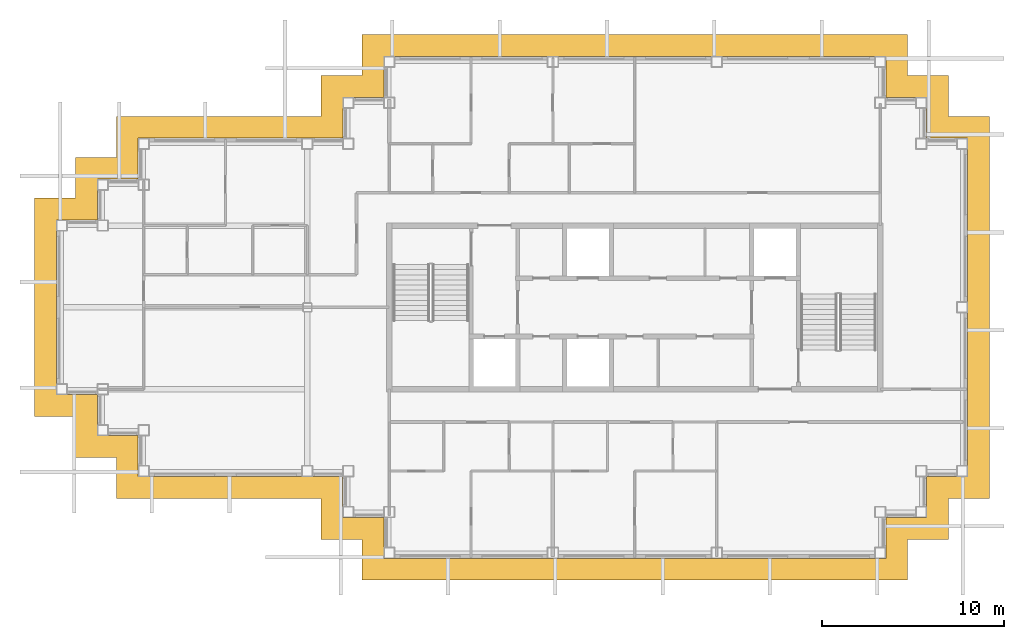
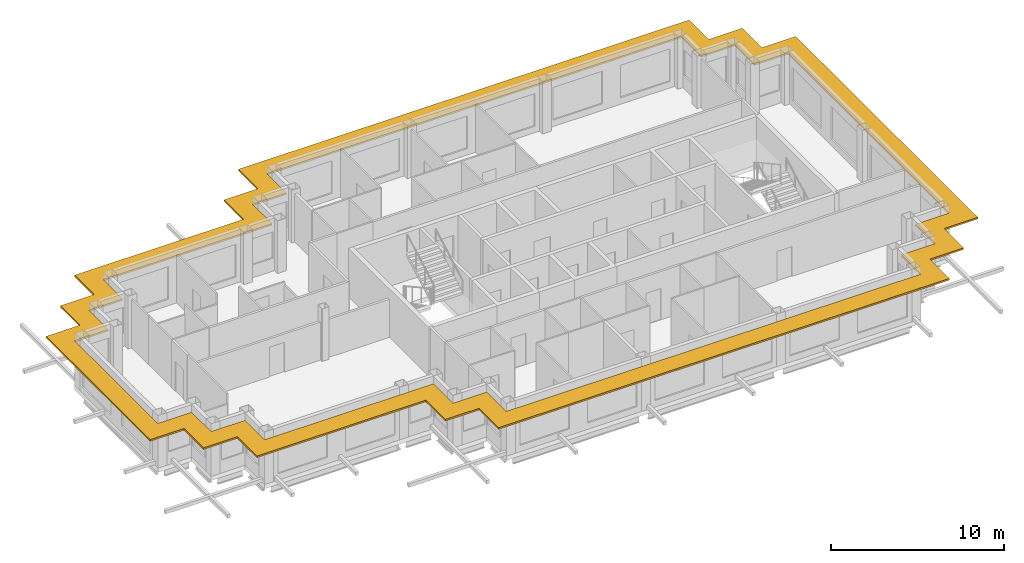
# One storey, part 10 of 11: 1 shading device.
"""IFC4 building model written with IfcOpenShell, lengths in metres."""

from ifc_helpers import new_model, si_unit, direction, frame, origin, place, context, subcontext, project, spatial, polyline, outline, extrude, material, layer, layer_set, type_object, element, save


model = new_model("IFC4")

# Units and contexts
model_context = context("Model", 3, precision=1e-05, world=origin(), true_north=direction((0.0, 1.0)))
body_context = subcontext(model_context, "Body", "Model", "MODEL_VIEW")
ifc_project = project(units=[si_unit("LENGTHUNIT", "METRE"), si_unit("AREAUNIT", "SQUARE_METRE"), si_unit("VOLUMEUNIT", "CUBIC_METRE"), si_unit("PLANEANGLEUNIT", "RADIAN"), si_unit("MASSUNIT", "GRAM", prefix="KILO")], contexts=[model_context])

# Site, building, storey
site_placement = place(None, origin())
site = spatial("IfcSite", under=ifc_project, at=site_placement, CompositionType="ELEMENT")
building_placement = place(site_placement, origin())
building = spatial("IfcBuilding", under=site, at=building_placement, Name="Caravel Reach Hotel and Residences", CompositionType="ELEMENT")
storey_placement = place(building_placement, frame((0.0, 0.0, 249.0)))
storey = spatial("IfcBuildingStorey", under=building, at=storey_placement, Name="L63", CompositionType="ELEMENT", Elevation=249.0)

# Shading device
ifc_material = material(Name="Black powder-coated aluminium", Category="aluminium")
ifc_layer = layer(ifc_material, 0.1201171875)
ifc_layer_set = layer_set([ifc_layer], Name="SS1 Sunshade band 1200")
shading_device_type = type_object("IfcShadingDeviceType", Name="SS1 Sunshade band 1200", PredefinedType="USERDEFINED", material=ifc_layer_set)
shading_device_placement = place(storey_placement, frame((0.0, 0.0, 3.0400390625)))
element("IfcShadingDevice", 1, at=shading_device_placement, inside=storey, type_object=shading_device_type, Name="Sunshade L63 1", ObjectType="SUNSHADE", PredefinedType="USERDEFINED", context=body_context, shape_type="SweptSolid", body=[
    extrude(outline(polyline([(3.0, 16.5), (14.25, 16.5), (14.25, 14.25), (16.5, 14.25), (16.5, 12.0), (46.5, 12.0), (46.5, 14.25), (48.75, 14.25), (48.75, 16.5), (51.0, 16.5), (51.0, 37.5), (48.75, 37.5), (48.75, 39.75), (46.5, 39.75), (46.5, 42.0), (16.5, 42.0), (16.5, 39.75), (14.25, 39.75), (14.25, 37.5), (3.0, 37.5), (3.0, 35.25), (0.75, 35.25), (0.75, 33.0), (-1.5, 33.0), (-1.5, 21.0), (0.75, 21.0), (0.75, 18.75), (3.0, 18.75), (3.0, 16.5)]), holes=[polyline([(15.449951171875, 15.449951171875), (15.449951171875, 17.699951171875), (4.199951171875, 17.699951171875), (4.199951171875, 19.949951171875), (1.949951171875, 19.949951171875), (1.949951171875, 22.199951171875), (-0.300048828125, 22.199951171875), (-0.300048828125, 31.800048828125), (1.949951171875, 31.800048828125), (1.949951171875, 34.050048828125), (4.199951171875, 34.050048828125), (4.199951171875, 36.300048828125), (15.449951171875, 36.300048828125), (15.449951171875, 38.550048828125), (17.699951171875, 38.550048828125), (17.699951171875, 40.800048828125), (45.300048828125, 40.800048828125), (45.300048828125, 38.550048828125), (47.550048828125, 38.550048828125), (47.550048828125, 36.300048828125), (49.800048828125, 36.300048828125), (49.800048828125, 17.699951171875), (47.550048828125, 17.699951171875), (47.550048828125, 15.449951171875), (45.300048828125, 15.449951171875), (45.300048828125, 13.199951171875), (17.699951171875, 13.199951171875), (17.699951171875, 15.449951171875), (15.449951171875, 15.449951171875)])]), origin(), (0.0, 0.0, 1.0), 0.119873046875),
])

save(model, "model.ifc")
